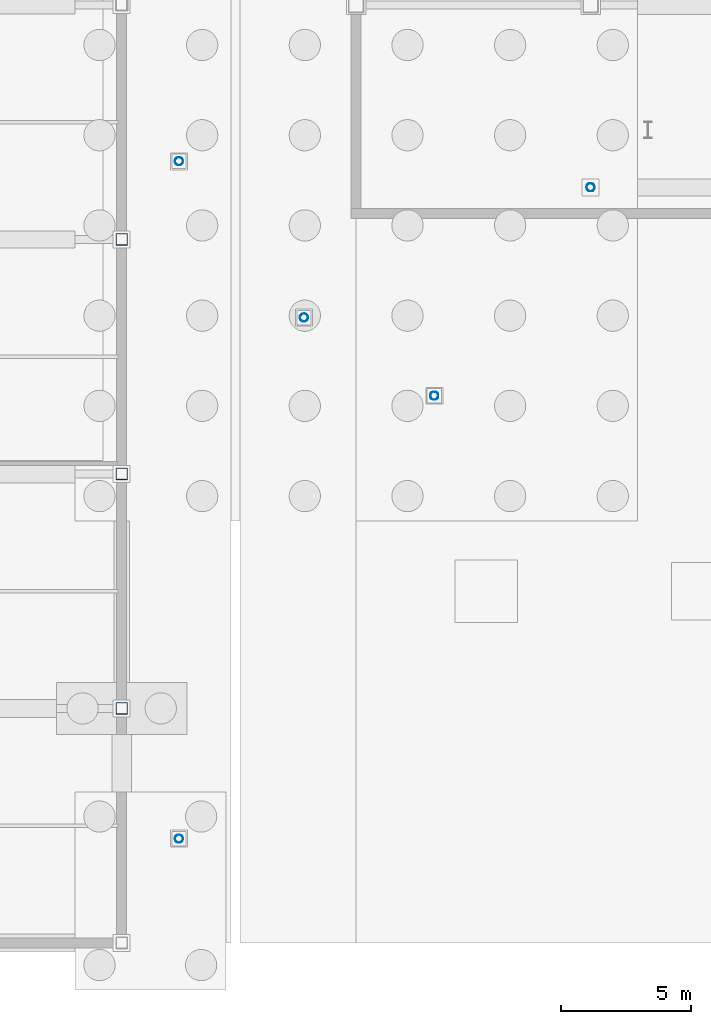
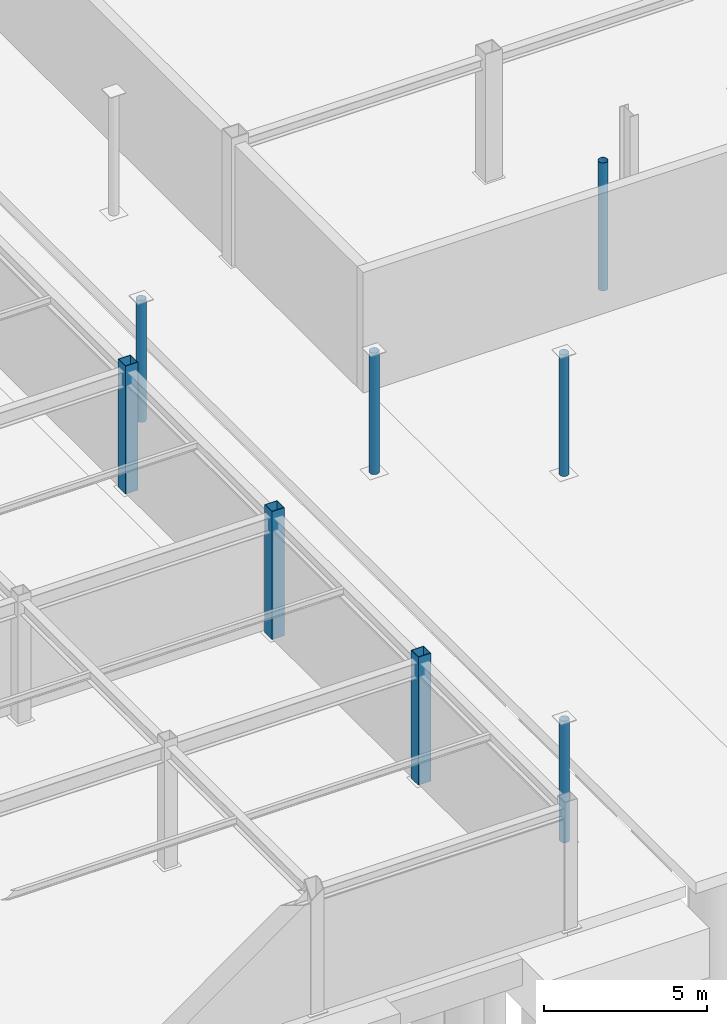
# One storey, part 13 of 74: 8 columns.
"""IFC4 building model written with IfcOpenShell, lengths in metres."""

from ifc_helpers import new_model, si_unit, direction, frame, origin, origin_2d, place, context, subcontext, project, spatial, hollow_rectangle, hollow_circle, extrude, material, material_profile, profile_set, type_object, element, save


model = new_model("IFC4")

# Units and contexts
model_context = context("Model", 3, precision=1e-05, world=origin(), true_north=direction((0.0, 1.0)))
body_context = subcontext(model_context, "Body", "Model", "MODEL_VIEW")
ifc_project = project(units=[si_unit("LENGTHUNIT", "METRE"), si_unit("AREAUNIT", "SQUARE_METRE"), si_unit("VOLUMEUNIT", "CUBIC_METRE"), si_unit("PLANEANGLEUNIT", "RADIAN"), si_unit("MASSUNIT", "GRAM", prefix="KILO")], contexts=[model_context])

# Site, building, storey
site_placement = place(None, origin())
site = spatial("IfcSite", under=ifc_project, at=site_placement, CompositionType="ELEMENT")
building_placement = place(site_placement, origin())
building = spatial("IfcBuilding", under=site, at=building_placement, Name="Suzunagisa Mobility Hub", CompositionType="ELEMENT")
storey_placement = place(building_placement, frame((0.0, 0.0, -4.800048828125)))
storey = spatial("IfcBuildingStorey", under=building, at=storey_placement, Name="B1", CompositionType="ELEMENT", Elevation=-4.800048828125)

# Columns
ifc_material = material(Name="Steel SN490B", Category="steel")
ifc_material_profile_1 = material_profile(ifc_material, hollow_circle(Radius=0.1591796875, WallThickness=0.01025390625, at=origin_2d()), Name="CHS-318.5x10.3")
ifc_profile_set_1 = profile_set([ifc_material_profile_1], Name="Steel SN490B")
column_type_1 = type_object("IfcColumnType", Name="Steel Column CL-09 CHS-318.5x10.3", PredefinedType="COLUMN", material=ifc_profile_set_1)
for number, where, z_axis, x_axis, name in (
    (1, (38.199951171875, 4.0, 0.0), (0.0, 0.0, 1.0), (1.0, 0.0, 0.0), "B1 Column 96"),
    (2, (38.199951171875, 30.0, 0.0), (0.0, 0.0, 1.0), (1.0, 0.0, 0.0), "B1 Column 97"),
    (3, (43.0, 24.0, 0.0), (0.0, 0.0, 1.0), (1.0, 0.0, 0.0), "B1 Column 100"),
    (4, (48.0, 21.0, 0.0), (0.0, 0.0, 1.0), (1.0, 0.0, 0.0), "B1 Column 123"),
):
    element("IfcColumn", number, at=place(storey_placement, frame(where, z_axis=z_axis, x_axis=x_axis)), inside=storey, type_object=column_type_1, Name=name, PredefinedType="COLUMN", context=body_context, shape_type="SweptSolid", body=[
        extrude(hollow_circle(Radius=0.1591796875, WallThickness=0.01025390625, at=origin_2d()), origin(), (0.0, 0.0, 1.0), 4.554931640625),
    ])
column_placement = place(storey_placement, frame((54.0, 29.0, 0.0), z_axis=(0.0, 0.0, 1.0), x_axis=(1.0, 0.0, 0.0)))
element("IfcColumn", 5, at=column_placement, inside=storey, type_object=column_type_1, Name="B1 Column 125", PredefinedType="COLUMN", context=body_context, shape_type="SweptSolid", body=[
    extrude(hollow_circle(Radius=0.1591796875, WallThickness=0.01025390625, at=origin_2d()), origin(), (0.0, 0.0, 1.0), 4.800048828125),
])
ifc_material_profile_2 = material_profile(ifc_material, hollow_rectangle(XDim=0.449951171875, YDim=0.449951171875, WallThickness=0.02197265625, at=origin_2d()), Name="BCR-450x450x22")
ifc_profile_set_2 = profile_set([ifc_material_profile_2], Name="Steel SN490B")
column_type_2 = type_object("IfcColumnType", Name="Steel Column CL-17 BCR-450x450x22", PredefinedType="COLUMN", material=ifc_profile_set_2)
for number, where, z_axis, x_axis, name in (
    (6, (36.0, 9.0, 0.0), (0.0, 0.0, 1.0), (1.0, 0.0, 0.0), "B1 Column 78"),
    (7, (36.0, 18.0, 0.0), (0.0, 0.0, 1.0), (1.0, 0.0, 0.0), "B1 Column 79"),
    (8, (36.0, 27.0, 0.0), (0.0, 0.0, 1.0), (1.0, 0.0, 0.0), "B1 Column 80"),
):
    element("IfcColumn", number, at=place(storey_placement, frame(where, z_axis=z_axis, x_axis=x_axis)), inside=storey, type_object=column_type_2, Name=name, PredefinedType="COLUMN", context=body_context, shape_type="SweptSolid", body=[
        extrude(hollow_rectangle(XDim=0.449951171875, YDim=0.449951171875, WallThickness=0.02197265625, at=origin_2d()), origin(), (0.0, 0.0, 1.0), 4.800048828125),
    ])

save(model, "model.ifc")
